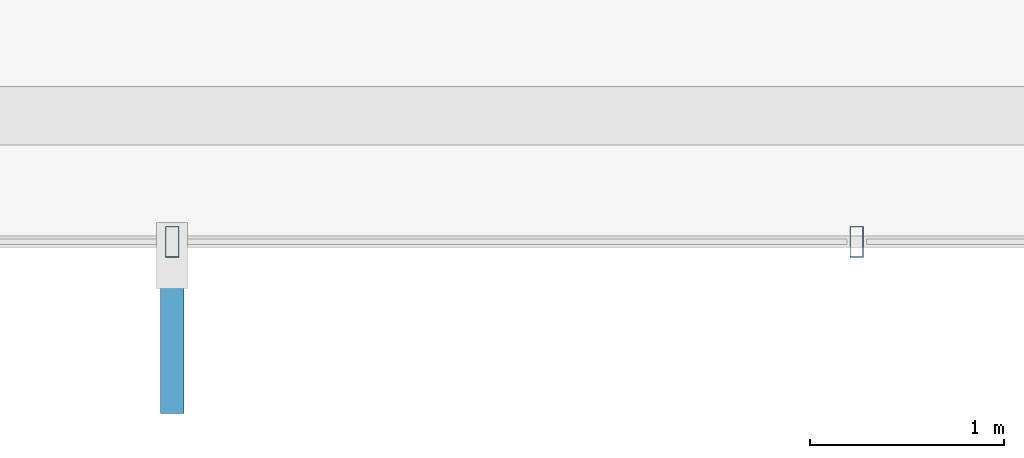
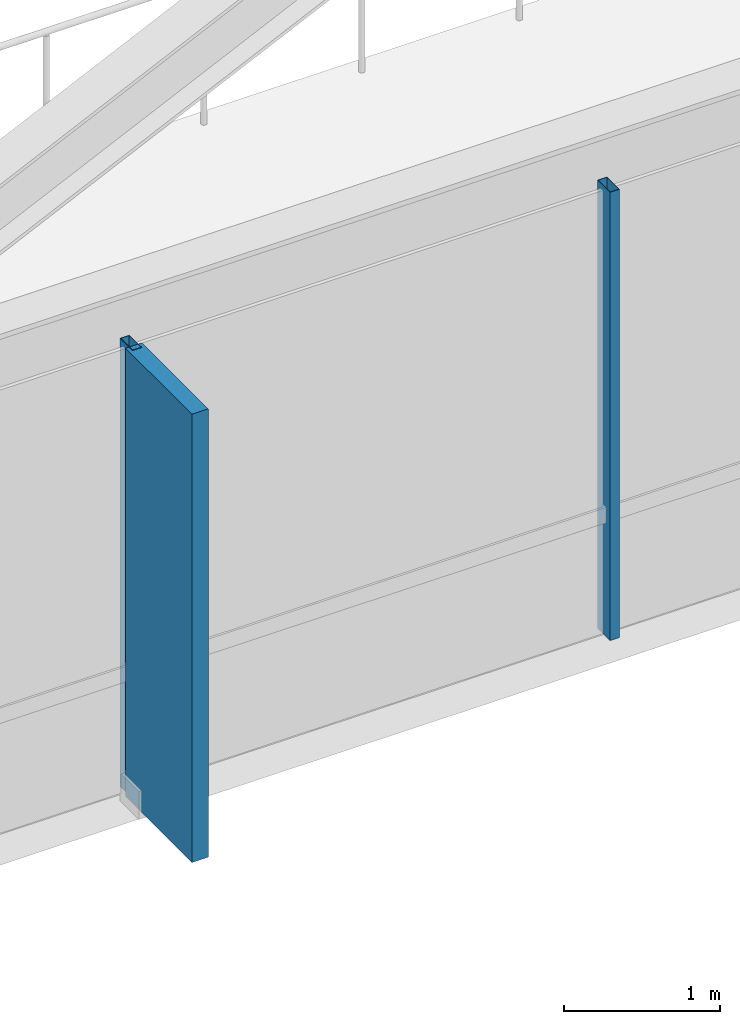
# One storey, part 6 of 28: 3 members, 1 element without a shape of its own.
"""IFC4 building model written with IfcOpenShell, lengths in metres."""

from ifc_helpers import new_model, si_unit, direction, frame, origin, origin_2d, place, context, subcontext, project, spatial, rectangle, hollow_rectangle, extrude, material, layer, layer_set, material_profile, profile_set, type_object, element, aggregate, save


model = new_model("IFC4")

# Units and contexts
model_context = context("Model", 3, precision=1e-05, world=origin(), true_north=direction((0.0, 1.0)))
body_context = subcontext(model_context, "Body", "Model", "MODEL_VIEW")
ifc_project = project(units=[si_unit("LENGTHUNIT", "METRE"), si_unit("AREAUNIT", "SQUARE_METRE"), si_unit("VOLUMEUNIT", "CUBIC_METRE"), si_unit("PLANEANGLEUNIT", "RADIAN"), si_unit("MASSUNIT", "GRAM", prefix="KILO")], contexts=[model_context])

# Site, building, storey
site_placement = place(None, origin())
site = spatial("IfcSite", under=ifc_project, at=site_placement, CompositionType="ELEMENT")
building_placement = place(site_placement, origin())
building = spatial("IfcBuilding", under=site, at=building_placement, Name="Zarrinselat Tower", CompositionType="ELEMENT")
storey_placement = place(building_placement, frame((0.0, 0.0, 127.159912109375)))
storey = spatial("IfcBuildingStorey", under=building, at=storey_placement, Name="L30", CompositionType="ELEMENT", Elevation=127.159912109375)

# Curtain wall, members
ifc_material_1 = material(Name="Extruded Aluminium Alloy EN AW-6063 T6", Category="aluminium")
ifc_layer = layer(ifc_material_1, 0.175048828125)
ifc_layer_set = layer_set([ifc_layer], Name="Extruded Aluminium Alloy EN AW-6063 T6")
curtain_wall_type = type_object("IfcCurtainWallType", Name="CWS-HTL", PredefinedType="NOTDEFINED", material=ifc_layer_set)
curtain_wall_placement = place(storey_placement, origin())
curtain_wall = element("IfcCurtainWall", 1, at=curtain_wall_placement, inside=storey, type_object=curtain_wall_type, Name="L30 Unitised Curtain Wall CW-L30-E04", PredefinedType="NOTDEFINED")
ifc_material_2 = material(Name="Extruded Aluminium Alloy EN AW-6063 T6", Category="aluminium")
ifc_material_profile_1 = material_profile(ifc_material_2, hollow_rectangle(XDim=0.070068359375, YDim=0.159912109375, WallThickness=0.00390625, at=origin_2d()), Name="RHS 160x70x4")
ifc_profile_set_1 = profile_set([ifc_material_profile_1], Name="Extruded Aluminium Alloy EN AW-6063 T6")
member_type_1 = type_object("IfcMemberType", Name="MEM-CW-MUL2", PredefinedType="MULLION", material=ifc_profile_set_1)
member_1_placement = place(storey_placement, frame((33.109375, 18.06640625, 0.0), z_axis=(0.0, 0.0, 1.0), x_axis=(1.0, 0.0, 0.0)))
member_1 = element("IfcMember", 2, at=member_1_placement, type_object=member_type_1, Name="CW-L30-E04 Mullion 1", PredefinedType="MULLION", context=body_context, shape_type="SweptSolid", body=[
    extrude(hollow_rectangle(XDim=0.070068359375, YDim=0.159912109375, WallThickness=0.00390625, at=origin_2d()), origin(), (0.0, 0.0, 1.0), 3.5),
])
member_2_placement = place(storey_placement, frame((36.636474609375, 18.06640625, 0.0), z_axis=(0.0, 0.0, 1.0), x_axis=(1.0, 0.0, 0.0)))
member_2 = element("IfcMember", 3, at=member_2_placement, type_object=member_type_1, Name="CW-L30-E04 Mullion 2", PredefinedType="MULLION", context=body_context, shape_type="SweptSolid", body=[
    extrude(hollow_rectangle(XDim=0.070068359375, YDim=0.159912109375, WallThickness=0.00390625, at=origin_2d()), origin(), (0.0, 0.0, 1.0), 3.5),
])
ifc_material_3 = material(Name="Honed Cream Travertine Stone", Category="masonry")
ifc_material_profile_2 = material_profile(ifc_material_3, rectangle(XDim=0.1201171875, YDim=0.85009765625, at=origin_2d()), Name="FIN 850x120")
ifc_profile_set_2 = profile_set([ifc_material_profile_2], Name="Honed Cream Travertine Stone")
member_type_2 = type_object("IfcMemberType", Name="MEM-STONE-FIN", PredefinedType="USERDEFINED", material=ifc_profile_set_2)
member_3_placement = place(storey_placement, frame((33.109375, 17.606201171875, 0.0), z_axis=(0.0, 0.0, 1.0), x_axis=(-1.0, 0.0, 0.0)))
member_3 = element("IfcMember", 4, at=member_3_placement, type_object=member_type_2, Name="L30 Stone Shading Fin CW-L30-E04-01", ObjectType="FIN", PredefinedType="USERDEFINED", context=body_context, shape_type="SweptSolid", body=[
    extrude(rectangle(XDim=0.1201171875, YDim=0.85009765625, at=origin_2d()), origin(), (0.0, 0.0, 1.0), 3.5),
])
aggregate(curtain_wall, [member_1, member_3, member_2])

save(model, "model.ifc")
